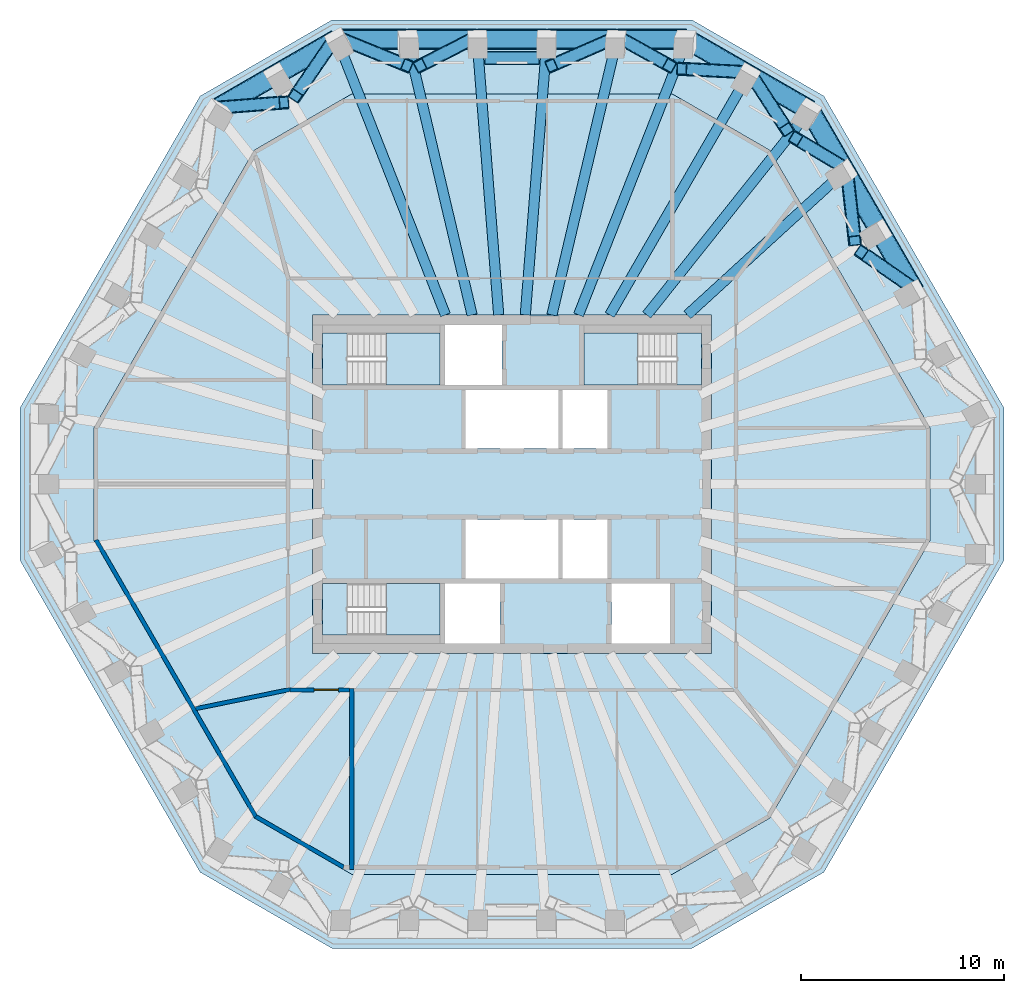
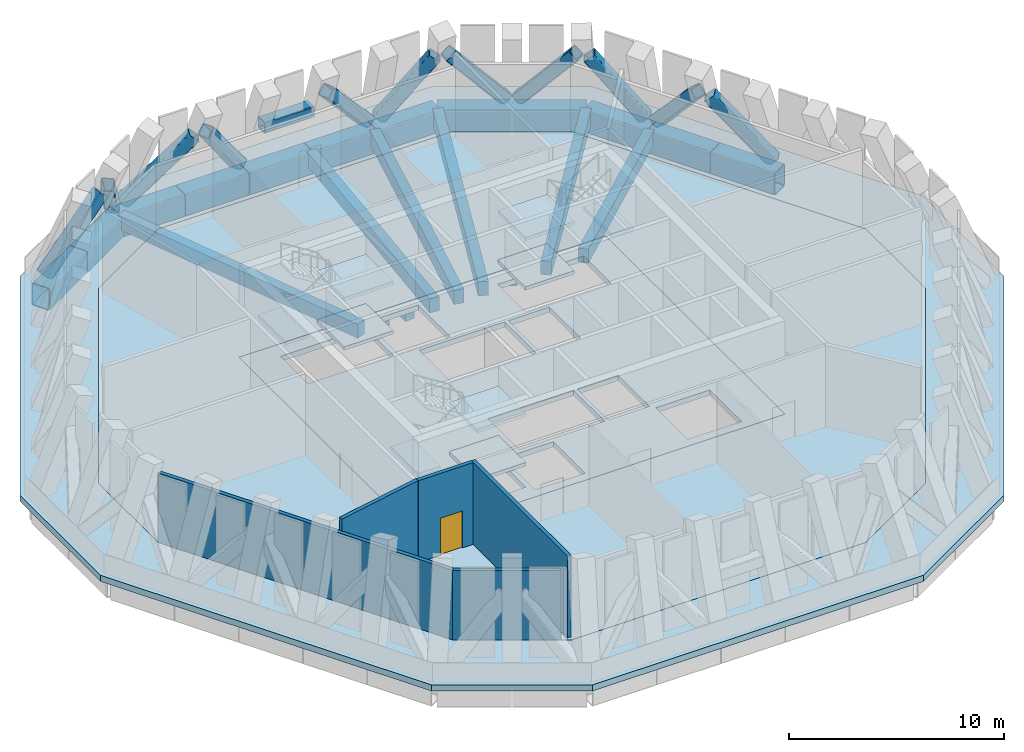
# One storey, part 3 of 9: 21 beams, 12 members, 12 slabs, 5 walls, 1 door, 1 opening, 3 elements without a shape of their own.
"""IFC4 building model written with IfcOpenShell, lengths in metres."""

from ifc_helpers import new_model, si_unit, direction, frame, frame_2d, origin, origin_2d, place, context, subcontext, project, spatial, polyline, rectangle, hollow_rectangle, outline, extrude, material, layer, layer_set, material_profile, profile_set, type_object, element, fill, aggregate, save


model = new_model("IFC4")

# Units and contexts
model_context = context("Model", 3, precision=1e-05, world=origin(), true_north=direction((0.0, 1.0)))
body_context = subcontext(model_context, "Body", "Model", "MODEL_VIEW")
ifc_project = project(units=[si_unit("LENGTHUNIT", "METRE"), si_unit("AREAUNIT", "SQUARE_METRE"), si_unit("VOLUMEUNIT", "CUBIC_METRE"), si_unit("PLANEANGLEUNIT", "RADIAN"), si_unit("MASSUNIT", "GRAM", prefix="KILO")], contexts=[model_context])

# Site, building, storey
site_placement = place(None, origin())
site = spatial("IfcSite", under=ifc_project, at=site_placement, CompositionType="ELEMENT")
building_placement = place(site_placement, origin())
building = spatial("IfcBuilding", under=site, at=building_placement, Name="Frailejon Research Tower", CompositionType="ELEMENT")
storey_placement = place(building_placement, frame((0.0, 0.0, 303.0)))
storey = spatial("IfcBuildingStorey", under=building, at=storey_placement, Name="L67", CompositionType="ELEMENT", Elevation=303.0)

# Beams
ifc_material_1 = material(Name="Steel S355", Category="steel")
ifc_material_profile_1 = material_profile(ifc_material_1, hollow_rectangle(XDim=1.0, YDim=1.300048828125, WallThickness=0.06005859375, InnerFilletRadius=0.06005859375, OuterFilletRadius=0.1201171875, at=origin_2d()), Name="Belt chord")
ifc_profile_set_1 = profile_set([ifc_material_profile_1], Name="Steel S355")
beam_type_1 = type_object("IfcBeamType", Name="Belt chord", PredefinedType="BEAM", material=ifc_profile_set_1)
beam_1_placement = place(storey_placement, frame((19.8623046875, 9.497802734375, -1.0), z_axis=(-0.500048678942, 0.86599729716, 0.0), x_axis=(-0.86599729716, -0.500048678942, 0.0)))
element("IfcBeam", 1, at=beam_1_placement, inside=storey, type_object=beam_type_1, Name="Belt chord", PredefinedType="BEAM", context=body_context, shape_type="SweptSolid", body=[
    extrude(hollow_rectangle(XDim=1.0, YDim=1.300048828125, WallThickness=0.06005859375, InnerFilletRadius=0.06005859375, OuterFilletRadius=0.1201171875, at=origin_2d()), origin(), (0.0, 0.0, 1.0), 3.411865234375),
])
for number, where, z_axis, x_axis, name in (
    (2, (18.13623046875, 12.48681640625, -1.0), (-0.499995010897, 0.866028284225, 0.0), (-0.866028284225, -0.499995010897, 0.0), "Belt chord"),
    (3, (16.410400390625, 15.47607421875, -1.0), (-0.499995010897, 0.866028284225, 0.0), (-0.866028284225, -0.499995010897, 0.0), "Belt chord"),
):
    element("IfcBeam", number, at=place(storey_placement, frame(where, z_axis=z_axis, x_axis=x_axis)), inside=storey, type_object=beam_type_1, Name=name, PredefinedType="BEAM", context=body_context, shape_type="SweptSolid", body=[
        extrude(hollow_rectangle(XDim=1.0, YDim=1.300048828125, WallThickness=0.06005859375, InnerFilletRadius=0.06005859375, OuterFilletRadius=0.1201171875, at=origin_2d()), origin(), (0.0, 0.0, 1.0), 3.41162109375),
    ])
beam_2_placement = place(storey_placement, frame((14.677490234375, 18.4580078125, -1.0), z_axis=(-0.866038798027, 0.499976799773, 0.0), x_axis=(-0.499976799773, -0.866038798027, 0.0)))
element("IfcBeam", 4, at=beam_2_placement, inside=storey, type_object=beam_type_1, Name="Belt chord", PredefinedType="BEAM", context=body_context, shape_type="SweptSolid", body=[
    extrude(hollow_rectangle(XDim=1.0, YDim=1.300048828125, WallThickness=0.06005859375, InnerFilletRadius=0.06005859375, OuterFilletRadius=0.1201171875, at=origin_2d()), origin(), (0.0, 0.0, 1.0), 3.462158203125),
])
beam_3_placement = place(storey_placement, frame((11.64453125, 20.208984375, -1.0), z_axis=(-0.866021168401, 0.500007335828, 0.0), x_axis=(-0.500007335828, -0.866021168401, 0.0)))
element("IfcBeam", 5, at=beam_3_placement, inside=storey, type_object=beam_type_1, Name="Belt chord", PredefinedType="BEAM", context=body_context, shape_type="SweptSolid", body=[
    extrude(hollow_rectangle(XDim=1.0, YDim=1.300048828125, WallThickness=0.06005859375, InnerFilletRadius=0.06005859375, OuterFilletRadius=0.1201171875, at=origin_2d()), origin(), (0.0, 0.0, 1.0), 3.4619140625),
])
for number, where, z_axis, x_axis, name in (
    (6, (8.609130859375, 21.949951171875, -1.0), (-1.0, 0.0, 0.0), (0.0, -1.0, 0.0), "Belt chord"),
    (7, (5.157470703125, 21.949951171875, -1.0), (-1.0, 0.0, 0.0), (0.0, -1.0, 0.0), "Belt chord"),
    (8, (1.705810546875, 21.949951171875, -1.0), (-1.0, 0.0, 0.0), (0.0, -1.0, 0.0), "Belt chord"),
    (9, (-1.745849609375, 21.949951171875, -1.0), (-1.0, 0.0, 0.0), (0.0, -1.0, 0.0), "Belt chord"),
    (10, (-5.197509765625, 21.949951171875, -1.0), (-1.0, 0.0, 0.0), (0.0, -1.0, 0.0), "Belt chord"),
):
    element("IfcBeam", number, at=place(storey_placement, frame(where, z_axis=z_axis, x_axis=x_axis)), inside=storey, type_object=beam_type_1, Name=name, PredefinedType="BEAM", context=body_context, shape_type="SweptSolid", body=[
        extrude(hollow_rectangle(XDim=1.0, YDim=1.300048828125, WallThickness=0.06005859375, InnerFilletRadius=0.06005859375, OuterFilletRadius=0.1201171875, at=origin_2d()), origin(), (0.0, 0.0, 1.0), 3.41162109375),
    ])
beam_4_placement = place(storey_placement, frame((-8.646484375, 21.93994140625, -1.0), z_axis=(-0.866021168401, -0.500007335828, 0.0), x_axis=(0.500007335828, -0.866021168401, 0.0)))
element("IfcBeam", 11, at=beam_4_placement, inside=storey, type_object=beam_type_1, Name="Belt chord", PredefinedType="BEAM", context=body_context, shape_type="SweptSolid", body=[
    extrude(hollow_rectangle(XDim=1.0, YDim=1.300048828125, WallThickness=0.06005859375, InnerFilletRadius=0.06005859375, OuterFilletRadius=0.1201171875, at=origin_2d()), origin(), (0.0, 0.0, 1.0), 3.4619140625),
])
beam_5_placement = place(storey_placement, frame((-11.67919921875, 20.18896484375, -1.0), z_axis=(-0.866038798027, -0.499976799773, 0.0), x_axis=(0.499976799773, -0.866038798027, 0.0)))
element("IfcBeam", 12, at=beam_5_placement, inside=storey, type_object=beam_type_1, Name="Belt chord", PredefinedType="BEAM", context=body_context, shape_type="SweptSolid", body=[
    extrude(hollow_rectangle(XDim=1.0, YDim=1.300048828125, WallThickness=0.06005859375, InnerFilletRadius=0.06005859375, OuterFilletRadius=0.1201171875, at=origin_2d()), origin(), (0.0, 0.0, 1.0), 3.462158203125),
])

# Members
ifc_material_2 = material(Name="Steel S355", Category="steel")
ifc_material_profile_2 = material_profile(ifc_material_2, hollow_rectangle(XDim=0.64990234375, YDim=0.64990234375, WallThickness=0.044921875, InnerFilletRadius=0.044921875, OuterFilletRadius=0.090087890625, at=origin_2d()), Name="Belt diagonal 5600")
ifc_profile_set_2 = profile_set([ifc_material_profile_2], Name="Steel S355")
member_type = type_object("IfcMemberType", Name="Belt diagonal 5600", PredefinedType="BRACE", material=ifc_profile_set_2)
member_1_placement = place(storey_placement, frame((19.681396484375, 9.74853515625, 0.084716796875), z_axis=(-0.535252736614, 0.371842910131, 0.758444037575), x_axis=(-0.57054032955, -0.821269585676, 0.0)))
element("IfcMember", 13, at=member_1_placement, inside=storey, type_object=member_type, Name="Belt truss diagonal", PredefinedType="BRACE", context=body_context, shape_type="SweptSolid", body=[
    extrude(hollow_rectangle(XDim=0.64990234375, YDim=0.64990234375, WallThickness=0.044921875, InnerFilletRadius=0.044921875, OuterFilletRadius=0.090087890625, at=origin_2d()), origin(), (0.0, 0.0, 1.0), 4.565673828125),
])
member_2_placement = place(storey_placement, frame((16.91259765625, 12.009521484375, 3.547607421875), z_axis=(-0.07519342983, 0.67049643139, -0.738092462774), x_axis=(-0.99377034804, -0.111447276129, 0.0)))
element("IfcMember", 14, at=member_2_placement, inside=storey, type_object=member_type, Name="Belt truss diagonal", PredefinedType="BRACE", context=body_context, shape_type="SweptSolid", body=[
    extrude(hollow_rectangle(XDim=0.64990234375, YDim=0.64990234375, WallThickness=0.044921875, InnerFilletRadius=0.044921875, OuterFilletRadius=0.090087890625, at=origin_2d()), origin(), (0.0, 0.0, 1.0), 4.691650390625),
])
member_3_placement = place(storey_placement, frame((16.23486328125, 15.718017578125, 0.084716796875), z_axis=(-0.515901660908, 0.308628295124, 0.799120799205), x_axis=(-0.513378990534, -0.858161996408, 0.0)))
element("IfcMember", 15, at=member_3_placement, inside=storey, type_object=member_type, Name="Belt truss diagonal", PredefinedType="BRACE", context=body_context, shape_type="SweptSolid", body=[
    extrude(hollow_rectangle(XDim=0.64990234375, YDim=0.64990234375, WallThickness=0.044921875, InnerFilletRadius=0.044921875, OuterFilletRadius=0.090087890625, at=origin_2d()), origin(), (0.0, 0.0, 1.0), 4.33349609375),
])
member_4_placement = place(storey_placement, frame((13.553955078125, 17.49755859375, 3.552978515625), z_axis=(-0.35415147652, 0.547745771707, -0.757991623473), x_axis=(-0.839760482819, -0.542957025459, 0.0)))
element("IfcMember", 16, at=member_4_placement, inside=storey, type_object=member_type, Name="Belt truss diagonal", PredefinedType="BRACE", context=body_context, shape_type="SweptSolid", body=[
    extrude(hollow_rectangle(XDim=0.64990234375, YDim=0.64990234375, WallThickness=0.044921875, InnerFilletRadius=0.044921875, OuterFilletRadius=0.090087890625, at=origin_2d()), origin(), (0.0, 0.0, 1.0), 4.589111328125),
])
member_5_placement = place(storey_placement, frame((11.365966796875, 20.336181640625, 0.07421875), z_axis=(-0.651408384331, 0.03282310928, 0.758016992105), x_axis=(-0.050324068991, -0.998732941321, 0.0)))
element("IfcMember", 17, at=member_5_placement, inside=storey, type_object=member_type, Name="Belt truss diagonal", PredefinedType="BRACE", context=body_context, shape_type="SweptSolid", body=[
    extrude(hollow_rectangle(XDim=0.64990234375, YDim=0.64990234375, WallThickness=0.044921875, InnerFilletRadius=0.044921875, OuterFilletRadius=0.090087890625, at=origin_2d()), origin(), (0.0, 0.0, 1.0), 4.58935546875),
])
member_6_placement = place(storey_placement, frame((7.770751953125, 20.6513671875, 3.547607421875), z_axis=(-0.525199848577, 0.292516371359, -0.799124077689), x_axis=(-0.486581594932, -0.873635136355, 0.0)))
element("IfcMember", 18, at=member_6_placement, inside=storey, type_object=member_type, Name="Belt truss diagonal", PredefinedType="BRACE", context=body_context, shape_type="SweptSolid", body=[
    extrude(hollow_rectangle(XDim=0.64990234375, YDim=0.64990234375, WallThickness=0.044921875, InnerFilletRadius=0.044921875, OuterFilletRadius=0.090087890625, at=origin_2d()), origin(), (0.0, 0.0, 1.0), 4.333251953125),
])
member_7_placement = place(storey_placement, frame((4.844970703125, 21.9189453125, 0.084716796875), z_axis=(-0.618280293058, -0.270165904861, 0.73806494502), x_axis=(0.400406139077, -0.916337778218, 0.0)))
element("IfcMember", 19, at=member_7_placement, inside=storey, type_object=member_type, Name="Belt truss diagonal", PredefinedType="BRACE", context=body_context, shape_type="SweptSolid", body=[
    extrude(hollow_rectangle(XDim=0.64990234375, YDim=0.64990234375, WallThickness=0.044921875, InnerFilletRadius=0.044921875, OuterFilletRadius=0.090087890625, at=origin_2d()), origin(), (0.0, 0.0, 1.0), 4.69189453125),
])
member_8_placement = place(storey_placement, frame((1.324951171875, 21.025634765625, 2.52490234375), z_axis=(-1.0, 0.0, 0.0), x_axis=(0.0, -1.0, 0.0)))
element("IfcMember", 20, at=member_8_placement, inside=storey, type_object=member_type, Name="Belt truss door-head strut", PredefinedType="BRACE", context=body_context, shape_type="SweptSolid", body=[
    extrude(hollow_rectangle(XDim=0.64990234375, YDim=0.64990234375, WallThickness=0.044921875, InnerFilletRadius=0.044921875, OuterFilletRadius=0.090087890625, at=origin_2d()), origin(), (0.0, 0.0, 1.0), 2.64990234375),
])
member_9_placement = place(storey_placement, frame((-2.04833984375, 21.9189453125, 0.084716796875), z_axis=(-0.558700593263, -0.285088302724, 0.778831372466), x_axis=(0.454517120678, -0.890738001328, 0.0)))
element("IfcMember", 21, at=member_9_placement, inside=storey, type_object=member_type, Name="Belt truss diagonal", PredefinedType="BRACE", context=body_context, shape_type="SweptSolid", body=[
    extrude(hollow_rectangle(XDim=0.64990234375, YDim=0.64990234375, WallThickness=0.044921875, InnerFilletRadius=0.044921875, OuterFilletRadius=0.090087890625, at=origin_2d()), origin(), (0.0, 0.0, 1.0), 4.4462890625),
])
member_10_placement = place(storey_placement, frame((-5.1826171875, 20.6513671875, 3.547607421875), z_axis=(-0.644565377867, 0.262806929628, -0.717960995733), x_axis=(-0.377550957756, -0.925988808948, 0.0)))
element("IfcMember", 22, at=member_10_placement, inside=storey, type_object=member_type, Name="Belt truss diagonal", PredefinedType="BRACE", context=body_context, shape_type="SweptSolid", body=[
    extrude(hollow_rectangle(XDim=0.64990234375, YDim=0.64990234375, WallThickness=0.044921875, InnerFilletRadius=0.044921875, OuterFilletRadius=0.090087890625, at=origin_2d()), origin(), (0.0, 0.0, 1.0), 4.8232421875),
])
for number, where, z_axis, x_axis, name in (
    (23, (-8.8994140625, 21.76025390625, 0.07421875), (-0.379754260632, -0.55456177743, 0.740437665537), (0.825087220492, -0.56500537925, 0.0), "Belt truss diagonal"),
    (24, (-11.24658203125, 18.82958984375, 3.552978515625), (-0.670189586558, -0.051601012596, -0.740393985367), (0.076767440701, -0.9970490259, 0.0), "Belt truss diagonal"),
):
    element("IfcMember", number, at=place(storey_placement, frame(where, z_axis=z_axis, x_axis=x_axis)), inside=storey, type_object=member_type, Name=name, PredefinedType="BRACE", context=body_context, shape_type="SweptSolid", body=[
        extrude(hollow_rectangle(XDim=0.64990234375, YDim=0.64990234375, WallThickness=0.044921875, InnerFilletRadius=0.044921875, OuterFilletRadius=0.090087890625, at=origin_2d()), origin(), (0.0, 0.0, 1.0), 4.6982421875),
    ])

# Beams
ifc_material_3 = material(Name="Concrete C60/75", Category="concrete")
ifc_material_profile_3 = material_profile(ifc_material_3, rectangle(XDim=0.5, YDim=0.800048828125, at=origin_2d()), Name="Girder 500x800")
ifc_profile_set_3 = profile_set([ifc_material_profile_3], Name="Concrete C60/75")
beam_type_2 = type_object("IfcBeamType", Name="Girder 500x800", PredefinedType="BEAM", material=ifc_profile_set_3)
beam_6_placement = place(storey_placement, frame((16.17236328125, 15.231689453125, -0.699951171875), z_axis=(-0.737837636793, -0.674978237969, 0.0), x_axis=(0.674978237969, -0.737837636793, 0.0)))
element("IfcBeam", 25, at=beam_6_placement, inside=storey, type_object=beam_type_2, Name="Girder 500x800", PredefinedType="BEAM", context=body_context, shape_type="SweptSolid", body=[
    extrude(rectangle(XDim=0.5, YDim=0.800048828125, at=origin_2d()), origin(), (0.0, 0.0, 1.0), 10.1953125),
])
beam_7_placement = place(storey_placement, frame((14.489013671875, 18.189697265625, -0.699951171875), z_axis=(-0.623055876427, -0.782177329542, 0.0), x_axis=(0.782177329542, -0.623055876427, 0.0)))
element("IfcBeam", 26, at=beam_7_placement, inside=storey, type_object=beam_type_2, Name="Girder 500x800", PredefinedType="BEAM", context=body_context, shape_type="SweptSolid", body=[
    extrude(rectangle(XDim=0.5, YDim=0.800048828125, at=origin_2d()), origin(), (0.0, 0.0, 1.0), 12.579833984375),
])
beam_8_placement = place(storey_placement, frame((11.49951171875, 19.91748046875, -0.699951171875), z_axis=(-0.500015685897, -0.866016347338, 0.0), x_axis=(0.866016347338, -0.500015685897, 0.0)))
element("IfcBeam", 27, at=beam_8_placement, inside=storey, type_object=beam_type_2, Name="Girder 500x800", PredefinedType="BEAM", context=body_context, shape_type="SweptSolid", body=[
    extrude(rectangle(XDim=0.5, YDim=0.800048828125, at=origin_2d()), origin(), (0.0, 0.0, 1.0), 13.35693359375),
])
beam_9_placement = place(storey_placement, frame((8.497314453125, 21.614501953125, -0.699951171875), z_axis=(-0.36587018222, -0.930665895884, 0.0), x_axis=(0.930665895884, -0.36587018222, 0.0)))
element("IfcBeam", 28, at=beam_9_placement, inside=storey, type_object=beam_type_2, Name="Girder 500x800", PredefinedType="BEAM", context=body_context, shape_type="SweptSolid", body=[
    extrude(rectangle(XDim=0.5, YDim=0.800048828125, at=origin_2d()), origin(), (0.0, 0.0, 1.0), 14.252685546875),
])
beam_10_placement = place(storey_placement, frame((5.099853515625, 21.62109375, -0.699951171875), z_axis=(-0.229580210899, -0.973289744507, 0.0), x_axis=(0.973289744507, -0.229580210899, 0.0)))
element("IfcBeam", 29, at=beam_10_placement, inside=storey, type_object=beam_type_2, Name="Girder 500x800", PredefinedType="BEAM", context=body_context, shape_type="SweptSolid", body=[
    extrude(rectangle(XDim=0.5, YDim=0.800048828125, at=origin_2d()), origin(), (0.0, 0.0, 1.0), 13.63525390625),
])
for number, where, z_axis, x_axis, name in (
    (30, (1.7001953125, 21.62451171875, -0.699951171875), (-0.078383122753, -0.996923310023, 0.0), (0.996923310023, -0.078383122753, 0.0), "Girder 500x800"),
    (31, (-1.7001953125, 21.62451171875, -0.699951171875), (0.078383122753, -0.996923310023, 0.0), (0.996923310023, 0.078383122753, 0.0), "Girder 500x800"),
):
    element("IfcBeam", number, at=place(storey_placement, frame(where, z_axis=z_axis, x_axis=x_axis)), inside=storey, type_object=beam_type_2, Name=name, PredefinedType="BEAM", context=body_context, shape_type="SweptSolid", body=[
        extrude(rectangle(XDim=0.5, YDim=0.800048828125, at=origin_2d()), origin(), (0.0, 0.0, 1.0), 13.3154296875),
    ])
beam_11_placement = place(storey_placement, frame((-5.099853515625, 21.62109375, -0.699951171875), z_axis=(0.229580210899, -0.973289744507, 0.0), x_axis=(0.973289744507, 0.229580210899, 0.0)))
element("IfcBeam", 32, at=beam_11_placement, inside=storey, type_object=beam_type_2, Name="Girder 500x800", PredefinedType="BEAM", context=body_context, shape_type="SweptSolid", body=[
    extrude(rectangle(XDim=0.5, YDim=0.800048828125, at=origin_2d()), origin(), (0.0, 0.0, 1.0), 13.63525390625),
])
beam_12_placement = place(storey_placement, frame((-8.50830078125, 21.642578125, -0.699951171875), z_axis=(0.36586707843, -0.930667116063, 0.0), x_axis=(0.930667116063, 0.36586707843, 0.0)))
element("IfcBeam", 33, at=beam_12_placement, inside=storey, type_object=beam_type_2, Name="Girder 500x800", PredefinedType="BEAM", context=body_context, shape_type="SweptSolid", body=[
    extrude(rectangle(XDim=0.5, YDim=0.800048828125, at=origin_2d()), origin(), (0.0, 0.0, 1.0), 14.28271484375),
])

# Slabs
ifc_material_4 = material(Name="Concrete C50/60", Category="concrete")
ifc_layer_1 = layer(ifc_material_4, 0.300048828125)
ifc_layer_set_1 = layer_set([ifc_layer_1], Name="Core floor slab 300 C50/60")
slab_type_1 = type_object("IfcSlabType", Name="Core floor slab 300 C50/60", PredefinedType="FLOOR", material=ifc_layer_set_1)
slab_1_placement = place(storey_placement, frame((0.0, 0.0, -0.300048828125)))
element("IfcSlab", 34, at=slab_1_placement, inside=storey, type_object=slab_type_1, Name="Core floor slab", PredefinedType="FLOOR", context=body_context, shape_type="SweptSolid", body=[
    extrude(outline(polyline([(9.85009765625, -8.35009765625), (9.85009765625, 8.35009765625), (-9.85009765625, 8.35009765625), (-9.85009765625, -8.35009765625), (9.85009765625, -8.35009765625)]), holes=[polyline([(2.300048828125, 1.75), (2.300048828125, 4.64990234375), (-2.300048828125, 4.64990234375), (-2.300048828125, 1.75), (2.300048828125, 1.75)]), polyline([(4.699951171875, 1.75), (4.699951171875, 4.64990234375), (2.5, 4.64990234375), (2.5, 1.75), (4.699951171875, 1.75)]), polyline([(2.300048828125, -4.64990234375), (2.300048828125, -1.75), (-2.300048828125, -1.75), (-2.300048828125, -4.64990234375), (2.300048828125, -4.64990234375)]), polyline([(4.699951171875, -4.64990234375), (4.699951171875, -1.75), (2.5, -1.75), (2.5, -4.64990234375), (4.699951171875, -4.64990234375)]), polyline([(-8.14697265625, 4.89990234375), (-3.550048828125, 4.89990234375), (-3.550048828125, 7.449951171875), (-8.14697265625, 7.449951171875), (-8.14697265625, 4.89990234375)]), polyline([(-8.14697265625, -7.449951171875), (-3.550048828125, -7.449951171875), (-3.550048828125, -4.89990234375), (-8.14697265625, -4.89990234375), (-8.14697265625, -7.449951171875)]), polyline([(8.14697265625, 7.449951171875), (3.550048828125, 7.449951171875), (3.550048828125, 4.89990234375), (8.14697265625, 4.89990234375), (8.14697265625, 7.449951171875)]), polyline([(-0.60009765625, -7.85009765625), (-0.60009765625, -4.89990234375), (-3.300048828125, -4.89990234375), (-3.300048828125, -7.85009765625), (-0.60009765625, -7.85009765625)]), polyline([(7.800048828125, -7.85009765625), (7.800048828125, -4.89990234375), (4.89990234375, -4.89990234375), (4.89990234375, -7.85009765625), (7.800048828125, -7.85009765625)]), polyline([(-0.5, 4.89990234375), (-0.5, 7.85009765625), (-3.300048828125, 7.85009765625), (-3.300048828125, 4.89990234375), (-0.5, 4.89990234375)])]), origin(), (0.0, 0.0, 1.0), 0.300048828125),
])
ifc_material_5 = material(Name="Concrete C40/50", Category="concrete")
ifc_layer_2 = layer(ifc_material_5, 0.35009765625)
ifc_layer_set_2 = layer_set([ifc_layer_2], Name="Plant gallery slab 350")
slab_type_2 = type_object("IfcSlabType", Name="Plant gallery slab 350", PredefinedType="FLOOR", material=ifc_layer_set_2)
slab_2_placement = place(storey_placement, frame((0.0, 0.0, -0.35009765625)))
element("IfcSlab", 35, at=slab_2_placement, inside=storey, type_object=slab_type_2, Name="Plant gallery slab L67", PredefinedType="FLOOR", context=body_context, shape_type="SweptSolid", body=[
    extrude(outline(polyline([(15.39013671875, -19.1435546875), (8.8837890625, -22.89990234375), (-8.8837890625, -22.89990234375), (-15.39013671875, -19.1435546875), (-24.273681640625, -3.756591796875), (-24.273681640625, 3.756591796875), (-15.39013671875, 19.1435546875), (-8.8837890625, 22.89990234375), (8.8837890625, 22.89990234375), (15.39013671875, 19.1435546875), (24.273681640625, 3.756591796875), (24.273681640625, -3.756591796875), (15.39013671875, -19.1435546875)]), holes=[polyline([(20.623779296875, 2.778564453125), (12.71826171875, 16.471435546875), (7.90576171875, 19.25), (-7.90576171875, 19.25), (-12.71826171875, 16.471435546875), (-20.623779296875, 2.778564453125), (-20.623779296875, -2.778564453125), (-12.71826171875, -16.471435546875), (-7.90576171875, -19.25), (7.90576171875, -19.25), (12.71826171875, -16.471435546875), (20.623779296875, -2.778564453125), (20.623779296875, 2.778564453125)])]), origin(), (0.0, 0.0, 1.0), 0.35009765625),
])
ifc_material_6 = material(Name="Concrete C40/50", Category="concrete")
ifc_layer_3 = layer(ifc_material_6, 0.300048828125)
ifc_layer_set_3 = layer_set([ifc_layer_3], Name="Slab typical 300")
slab_type_3 = type_object("IfcSlabType", Name="Slab typical 300", PredefinedType="FLOOR", material=ifc_layer_set_3)
slab_3_placement = place(storey_placement, frame((0.0, 0.0, -0.300048828125)))
element("IfcSlab", 36, at=slab_3_placement, inside=storey, type_object=slab_type_3, Name="Floor slab L67", PredefinedType="FLOOR", context=body_context, shape_type="SweptSolid", body=[
    extrude(outline(polyline([(20.623779296875, -2.778564453125), (20.623779296875, 2.778564453125), (12.71826171875, 16.471435546875), (7.90576171875, 19.25), (-7.90576171875, 19.25), (-12.71826171875, 16.471435546875), (-20.623779296875, 2.778564453125), (-20.623779296875, -2.778564453125), (-12.71826171875, -16.471435546875), (-7.90576171875, -19.25), (7.90576171875, -19.25), (12.71826171875, -16.471435546875), (20.623779296875, -2.778564453125)]), holes=[polyline([(9.25, 8.35009765625), (9.85009765625, 8.35009765625), (9.85009765625, -8.35009765625), (9.25, -8.35009765625), (-9.25, -8.35009765625), (-9.85009765625, -8.35009765625), (-9.85009765625, 8.35009765625), (-9.25, 8.35009765625), (9.25, 8.35009765625)])]), origin(), (0.0, 0.0, 1.0), 0.300048828125),
])

# Stair, slabs
ifc_material_7 = material(Name="Concrete C50/60", Category="concrete")
stair_type = type_object("IfcStairType", Name="Exit stair 32 risers", PredefinedType="HALF_TURN_STAIR", material=ifc_material_7)
stair_1_placement = place(storey_placement, origin())
stair_1 = element("IfcStair", 37, at=stair_1_placement, inside=storey, type_object=stair_type, Name="L67 Exit stair ST1", PredefinedType="HALF_TURN_STAIR")
ifc_material_8 = material(Name="Concrete C50/60", Category="concrete")
ifc_layer_4 = layer(ifc_material_8, 0.199951171875)
ifc_layer_set_4 = layer_set([ifc_layer_4], Name="Stair landing slab 200")
slab_type_4 = type_object("IfcSlabType", Name="Stair landing slab 200", PredefinedType="LANDING", material=ifc_layer_set_4)
slab_4_placement = place(storey_placement, frame((0.0, 0.0, 1.199951171875)))
slab_4 = element("IfcSlab", 38, at=slab_4_placement, type_object=slab_type_4, Name="ST1 landing 1", PredefinedType="LANDING", context=body_context, shape_type="SweptSolid", body=[
    extrude(outline(polyline([(-6.18994140625, 4.89990234375), (-3.550048828125, 4.89990234375), (-3.550048828125, 7.449951171875), (-6.18994140625, 7.449951171875), (-6.18994140625, 4.89990234375)])), origin(), (0.0, 0.0, 1.0), 0.199951171875),
])
slab_5_placement = place(storey_placement, frame((0.0, 0.0, 2.60009765625)))
slab_5 = element("IfcSlab", 39, at=slab_5_placement, type_object=slab_type_4, Name="ST1 landing 2", PredefinedType="LANDING", context=body_context, shape_type="SweptSolid", body=[
    extrude(outline(polyline([(-9.35009765625, 4.89990234375), (-8.14990234375, 4.89990234375), (-8.14990234375, 7.449951171875), (-9.35009765625, 7.449951171875), (-9.35009765625, 4.89990234375)])), origin(), (0.0, 0.0, 1.0), 0.199951171875),
])
slab_6_placement = place(storey_placement, frame((0.0, 0.0, 4.0)))
slab_6 = element("IfcSlab", 40, at=slab_6_placement, type_object=slab_type_4, Name="ST1 landing 3", PredefinedType="LANDING", context=body_context, shape_type="SweptSolid", body=[
    extrude(outline(polyline([(-6.18994140625, 4.89990234375), (-3.550048828125, 4.89990234375), (-3.550048828125, 7.449951171875), (-6.18994140625, 7.449951171875), (-6.18994140625, 4.89990234375)])), origin(), (0.0, 0.0, 1.0), 0.199951171875),
])
aggregate(stair_1, [slab_4, slab_5, slab_6])

stair_2_placement = place(storey_placement, origin())
stair_2 = element("IfcStair", 41, at=stair_2_placement, inside=storey, type_object=stair_type, Name="L67 Exit stair ST2", PredefinedType="HALF_TURN_STAIR")
slab_7_placement = place(storey_placement, frame((0.0, 0.0, 1.199951171875)))
slab_7 = element("IfcSlab", 42, at=slab_7_placement, type_object=slab_type_4, Name="ST2 landing 1", PredefinedType="LANDING", context=body_context, shape_type="SweptSolid", body=[
    extrude(outline(polyline([(-6.18994140625, -7.449951171875), (-3.550048828125, -7.449951171875), (-3.550048828125, -4.89990234375), (-6.18994140625, -4.89990234375), (-6.18994140625, -7.449951171875)])), origin(), (0.0, 0.0, 1.0), 0.199951171875),
])
slab_8_placement = place(storey_placement, frame((0.0, 0.0, 2.60009765625)))
slab_8 = element("IfcSlab", 43, at=slab_8_placement, type_object=slab_type_4, Name="ST2 landing 2", PredefinedType="LANDING", context=body_context, shape_type="SweptSolid", body=[
    extrude(outline(polyline([(-9.35009765625, -7.449951171875), (-8.14990234375, -7.449951171875), (-8.14990234375, -4.89990234375), (-9.35009765625, -4.89990234375), (-9.35009765625, -7.449951171875)])), origin(), (0.0, 0.0, 1.0), 0.199951171875),
])
slab_9_placement = place(storey_placement, frame((0.0, 0.0, 4.0)))
slab_9 = element("IfcSlab", 44, at=slab_9_placement, type_object=slab_type_4, Name="ST2 landing 3", PredefinedType="LANDING", context=body_context, shape_type="SweptSolid", body=[
    extrude(outline(polyline([(-6.18994140625, -7.449951171875), (-3.550048828125, -7.449951171875), (-3.550048828125, -4.89990234375), (-6.18994140625, -4.89990234375), (-6.18994140625, -7.449951171875)])), origin(), (0.0, 0.0, 1.0), 0.199951171875),
])
aggregate(stair_2, [slab_7, slab_8, slab_9])

stair_3_placement = place(storey_placement, origin())
stair_3 = element("IfcStair", 45, at=stair_3_placement, inside=storey, type_object=stair_type, Name="L67 Exit stair ST3", PredefinedType="HALF_TURN_STAIR")
slab_10_placement = place(storey_placement, frame((0.0, 0.0, 1.199951171875)))
slab_10 = element("IfcSlab", 46, at=slab_10_placement, type_object=slab_type_4, Name="ST3 landing 1", PredefinedType="LANDING", context=body_context, shape_type="SweptSolid", body=[
    extrude(outline(polyline([(6.18994140625, 7.449951171875), (3.550048828125, 7.449951171875), (3.550048828125, 4.89990234375), (6.18994140625, 4.89990234375), (6.18994140625, 7.449951171875)])), origin(), (0.0, 0.0, 1.0), 0.199951171875),
])
slab_11_placement = place(storey_placement, frame((0.0, 0.0, 2.60009765625)))
slab_11 = element("IfcSlab", 47, at=slab_11_placement, type_object=slab_type_4, Name="ST3 landing 2", PredefinedType="LANDING", context=body_context, shape_type="SweptSolid", body=[
    extrude(outline(polyline([(9.35009765625, 7.449951171875), (8.14990234375, 7.449951171875), (8.14990234375, 4.89990234375), (9.35009765625, 4.89990234375), (9.35009765625, 7.449951171875)])), origin(), (0.0, 0.0, 1.0), 0.199951171875),
])
slab_12_placement = place(storey_placement, frame((0.0, 0.0, 4.0)))
slab_12 = element("IfcSlab", 48, at=slab_12_placement, type_object=slab_type_4, Name="ST3 landing 3", PredefinedType="LANDING", context=body_context, shape_type="SweptSolid", body=[
    extrude(outline(polyline([(6.18994140625, 7.449951171875), (3.550048828125, 7.449951171875), (3.550048828125, 4.89990234375), (6.18994140625, 4.89990234375), (6.18994140625, 7.449951171875)])), origin(), (0.0, 0.0, 1.0), 0.199951171875),
])
aggregate(stair_3, [slab_10, slab_11, slab_12])

# Walls
ifc_material_9 = material(Name="Aluminium louvre panel wall", Category="aluminium")
ifc_layer_5 = layer(ifc_material_9, 0.199951171875)
ifc_layer_set_5 = layer_set([ifc_layer_5], Name="Louvred plant wall 200")
wall_type_1 = type_object("IfcWallType", Name="Louvred plant wall 200", PredefinedType="SOLIDWALL", material=ifc_layer_set_5)
wall_1_placement = place(storey_placement, frame((-20.523681640625, -2.751708984375, 0.0), z_axis=(0.0, 0.0, 1.0), x_axis=(0.499993368965, -0.86602923218, 0.0)))
element("IfcWall", 49, at=wall_1_placement, inside=storey, type_object=wall_type_1, Name="Plant louvre wall L67", PredefinedType="SOLIDWALL", context=body_context, shape_type="SweptSolid", body=[
    extrude(outline(polyline([(-0.02685546875, -0.10009765625), (15.784423828125, -0.10009765625), (15.730712890625, 0.10009765625), (0.02685546875, 0.10009765625), (-0.02685546875, -0.10009765625)])), origin(), (0.0, 0.0, 1.0), 3.949951171875),
])
wall_2_placement = place(storey_placement, frame((-12.64501953125, -16.398193359375, 0.0), z_axis=(0.0, 0.0, 1.0), x_axis=(0.866021443701, -0.500006859004, 0.0)))
element("IfcWall", 50, at=wall_2_placement, inside=storey, type_object=wall_type_1, Name="Plant louvre wall L67", PredefinedType="SOLIDWALL", context=body_context, shape_type="SweptSolid", body=[
    extrude(outline(polyline([(-0.02685546875, -0.10009765625), (5.0302734375, -0.10009765625), (4.9765625, 0.10009765625), (0.02685546875, 0.10009765625), (-0.02685546875, -0.10009765625)])), origin(), (0.0, 0.0, 1.0), 3.949951171875),
])

# Wall, opening, door
ifc_material_10 = material(Name="Gypsum board and masonry partition", Category="masonry")
ifc_layer_6 = layer(ifc_material_10, 0.199951171875)
ifc_layer_set_6 = layer_set([ifc_layer_6], Name="Plant enclosure wall, blockwork 200")
wall_type_2 = type_object("IfcWallType", Name="Plant enclosure wall, blockwork 200", PredefinedType="PARTITIONING", material=ifc_layer_set_6)
wall_3_placement = place(storey_placement, frame((-10.949951171875, -10.14990234375, 0.0), z_axis=(0.0, 0.0, 1.0), x_axis=(1.0, 0.0, 0.0)))
wall_3 = element("IfcWall", 51, at=wall_3_placement, inside=storey, type_object=wall_type_2, Name="T:IW:L67:012", PredefinedType="PARTITIONING", context=body_context, shape_type="SweptSolid", body=[
    extrude(rectangle(XDim=2.9443359375, YDim=0.199951171875, at=frame_2d((1.47216796875, 0.0))), origin(), (0.0, 0.0, 1.0), 4.64990234375),
])
opening_placement = place(wall_3_placement, frame((1.183349609375, 0.0, 0.0)))
opening = element("IfcOpeningElement", 52, at=opening_placement, cuts=wall_3, Name="Opening D1155", PredefinedType="OPENING", context=body_context, shape_type="SweptSolid", body=[
    extrude(rectangle(XDim=1.199951171875, YDim=2.10009765625, at=frame_2d((0.60009765625, 1.050048828125))), frame((0.0, 0.10986328125, 0.0), z_axis=(0.0, -1.0, 0.0), x_axis=(1.0, 0.0, 0.0)), (0.0, 0.0, 1.0), 0.219970703125),
])
ifc_material_11 = material(Name="Steel door leaf", Category="steel")
door_type = type_object("IfcDoorType", Name="Door plant room, steel 1200", OperationType="NOTDEFINED", PredefinedType="DOOR", material=ifc_material_11)
door_placement = place(opening_placement, origin())
door = element("IfcDoor", 53, at=door_placement, inside=storey, type_object=door_type, Name="D1155", OperationType="DOUBLE_DOOR_SINGLE_SWING", OverallHeight=2.10009765625, OverallWidth=1.199951171875, PredefinedType="DOOR", context=body_context, shape_type="SweptSolid", body=[
    extrude(rectangle(XDim=1.199951171875, YDim=2.10009765625, at=frame_2d((0.60009765625, 1.050048828125))), frame((0.0, 0.02490234375, 0.0), z_axis=(0.0, -1.0, 0.0), x_axis=(1.0, 0.0, 0.0)), (0.0, 0.0, 1.0), 0.050048828125),
])
fill(opening, door)

# Walls
wall_4_placement = place(storey_placement, frame((-15.601318359375, -11.077392578125, 0.0), z_axis=(0.0, 0.0, 1.0), x_axis=(0.979859772812, 0.199686818855, 0.0)))
element("IfcWall", 54, at=wall_4_placement, inside=storey, type_object=wall_type_2, Name="T:IW:L67:019", PredefinedType="PARTITIONING", context=body_context, shape_type="SweptSolid", body=[
    extrude(rectangle(XDim=4.744873046875, YDim=0.199951171875, at=frame_2d((2.37255859375, 0.0))), origin(), (0.0, 0.0, 1.0), 4.64990234375),
])
wall_5_placement = place(storey_placement, frame((-7.90576171875, -19.01904296875, 0.0), z_axis=(0.0, 0.0, 1.0), x_axis=(0.0, 1.0, 0.0)))
element("IfcWall", 55, at=wall_5_placement, inside=storey, type_object=wall_type_2, Name="T:IW:L67:020", PredefinedType="PARTITIONING", context=body_context, shape_type="SweptSolid", body=[
    extrude(rectangle(XDim=8.944091796875, YDim=0.199951171875, at=frame_2d((4.47216796875, 0.0))), origin(), (0.0, 0.0, 1.0), 4.64990234375),
])

save(model, "model.ifc")
